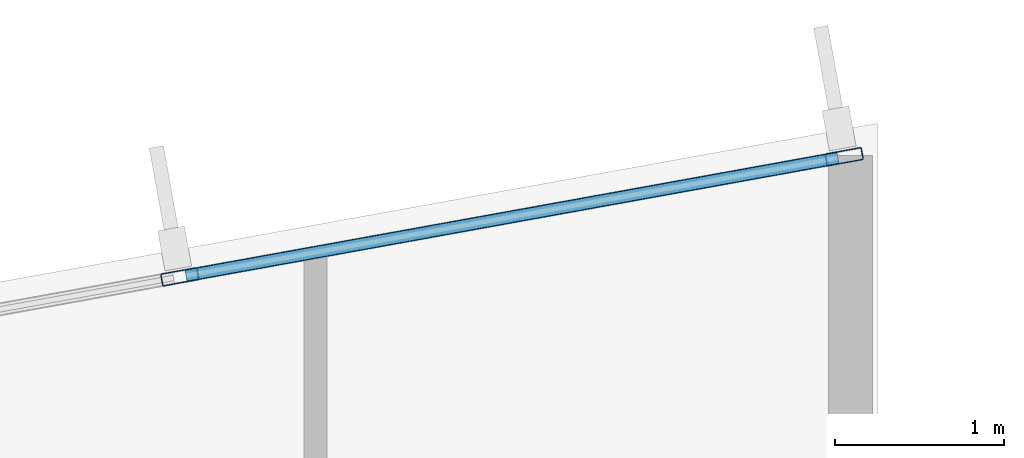
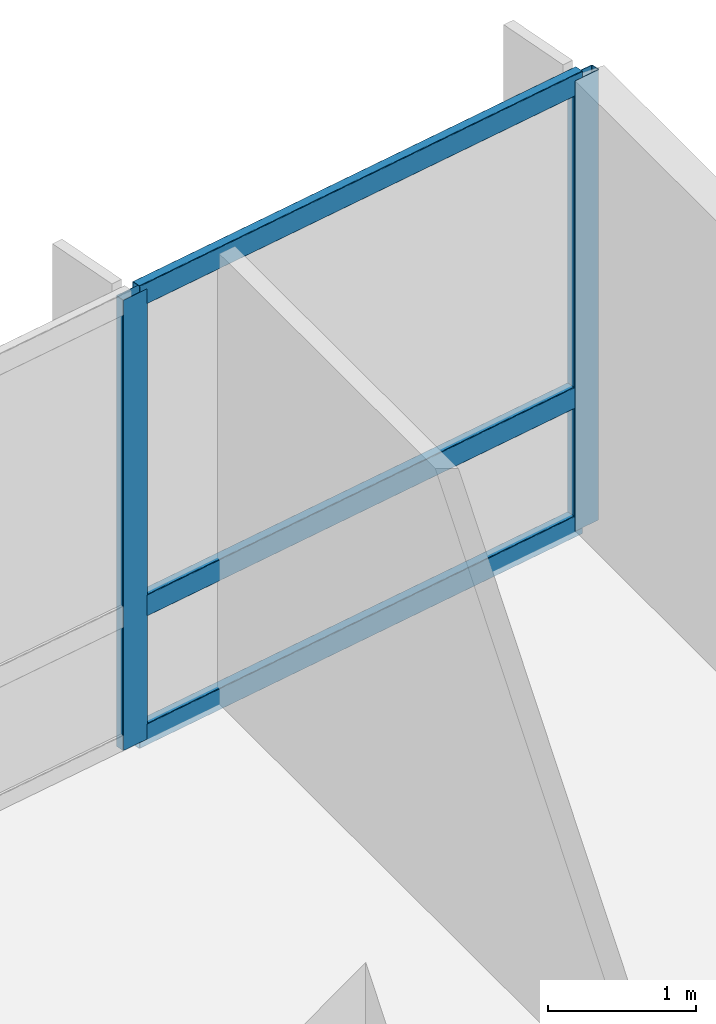
# One storey, part 10 of 22: 5 members, 1 element without a shape of its own.
"""IFC4 building model written with IfcOpenShell, lengths in metres."""

from ifc_helpers import new_model, si_unit, direction, frame, origin, origin_2d, place, context, subcontext, project, spatial, hollow_rectangle, extrude, material, layer, layer_set, material_profile, profile_set, type_object, element, aggregate, save


model = new_model("IFC4")

# Units and contexts
model_context = context("Model", 3, precision=1e-05, world=origin(), true_north=direction((0.0, 1.0)))
body_context = subcontext(model_context, "Body", "Model", "MODEL_VIEW")
ifc_project = project(units=[si_unit("LENGTHUNIT", "METRE"), si_unit("AREAUNIT", "SQUARE_METRE"), si_unit("VOLUMEUNIT", "CUBIC_METRE"), si_unit("PLANEANGLEUNIT", "RADIAN"), si_unit("MASSUNIT", "GRAM", prefix="KILO")], contexts=[model_context])

# Site, building, storey
site_placement = place(None, origin())
site = spatial("IfcSite", under=ifc_project, at=site_placement, CompositionType="ELEMENT")
building_placement = place(site_placement, origin())
building = spatial("IfcBuilding", under=site, at=building_placement, Name="Varnakote Quay Hospital", CompositionType="ELEMENT")
storey_placement = place(building_placement, frame((0.0, 0.0, 65.949951171875)))
storey = spatial("IfcBuildingStorey", under=building, at=storey_placement, Name="L16", CompositionType="ELEMENT", Elevation=65.949951171875)

# Curtain wall, members
ifc_material_1 = material(Name="Anodised aluminium 6063-T6 Bronze", Category="aluminium")
ifc_layer = layer(ifc_material_1, 0.18994140625)
ifc_layer_set = layer_set([ifc_layer], Name="Anodised aluminium 6063-T6 Bronze")
curtain_wall_type = type_object("IfcCurtainWallType", Name="CW-SYS-2", PredefinedType="NOTDEFINED", material=ifc_layer_set)
curtain_wall_placement = place(storey_placement, origin())
curtain_wall = element("IfcCurtainWall", 1, at=curtain_wall_placement, inside=storey, type_object=curtain_wall_type, Name="L16 Unitised Bronze Curtain Wall 2", PredefinedType="NOTDEFINED")
ifc_material_2 = material(Name="Anodised aluminium 6063-T6 Bronze", Category="aluminium")
ifc_material_profile_1 = material_profile(ifc_material_2, hollow_rectangle(XDim=0.074951171875, YDim=0.219970703125, WallThickness=0.00439453125, InnerFilletRadius=0.00439453125, OuterFilletRadius=0.009033203125, at=origin_2d()), Name="CW-MULL-220x75")
ifc_profile_set_1 = profile_set([ifc_material_profile_1], Name="Anodised aluminium 6063-T6 Bronze")
member_type_1 = type_object("IfcMemberType", Name="CW-MULL-220x75", PredefinedType="MULLION", material=ifc_profile_set_1)
member_1_placement = place(storey_placement, frame((55.403076171875, 34.201904296875, 0.0), z_axis=(0.0, 0.0, 1.0), x_axis=(0.177846199098, -0.984058295766, 0.0)))
member_1 = element("IfcMember", 2, at=member_1_placement, type_object=member_type_1, Name="-2-L16-2 mullion 1", PredefinedType="MULLION", context=body_context, shape_type="SweptSolid", body=[
    extrude(hollow_rectangle(XDim=0.074951171875, YDim=0.219970703125, WallThickness=0.00439453125, InnerFilletRadius=0.00439453125, OuterFilletRadius=0.009033203125, at=origin_2d()), origin(), (0.0, 0.0, 1.0), 3.7099609375),
])
member_2_placement = place(storey_placement, frame((51.477294921875, 33.492431640625, 0.0), z_axis=(0.0, 0.0, 1.0), x_axis=(0.177846199098, -0.984058295766, 0.0)))
member_2 = element("IfcMember", 3, at=member_2_placement, type_object=member_type_1, Name="-2-L16-2 mullion 2", PredefinedType="MULLION", context=body_context, shape_type="SweptSolid", body=[
    extrude(hollow_rectangle(XDim=0.074951171875, YDim=0.219970703125, WallThickness=0.00439453125, InnerFilletRadius=0.00439453125, OuterFilletRadius=0.009033203125, at=origin_2d()), origin(), (0.0, 0.0, 1.0), 3.7099609375),
])
ifc_material_3 = material(Name="Anodised aluminium 6063-T6 Bronze", Category="aluminium")
ifc_material_profile_2 = material_profile(ifc_material_3, hollow_rectangle(XDim=0.074951171875, YDim=0.179931640625, WallThickness=0.004150390625, InnerFilletRadius=0.004150390625, OuterFilletRadius=0.00830078125, at=origin_2d()), Name="CW-TRAN-180x75")
ifc_profile_set_2 = profile_set([ifc_material_profile_2], Name="Anodised aluminium 6063-T6 Bronze")
member_type_2 = type_object("IfcMemberType", Name="CW-TRAN-180x75", PredefinedType="USERDEFINED", material=ifc_profile_set_2)
member_3_placement = place(storey_placement, frame((55.3662109375, 34.195068359375, 0.03759765625), z_axis=(-0.984061948229, -0.177825988109, 0.0), x_axis=(0.177825988109, -0.984061948229, 0.0)))
member_3 = element("IfcMember", 4, at=member_3_placement, type_object=member_type_2, Name="-2-L16-2 transom 1.1", ObjectType="TRANSOM", PredefinedType="USERDEFINED", context=body_context, shape_type="SweptSolid", body=[
    extrude(hollow_rectangle(XDim=0.074951171875, YDim=0.179931640625, WallThickness=0.004150390625, InnerFilletRadius=0.004150390625, OuterFilletRadius=0.00830078125, at=origin_2d()), origin(), (0.0, 0.0, 1.0), 3.914306640625),
])
member_4_placement = place(storey_placement, frame((55.3662109375, 34.195068359375, 1.10009765625), z_axis=(-0.984061948229, -0.177825988109, 0.0), x_axis=(0.177825988109, -0.984061948229, 0.0)))
member_4 = element("IfcMember", 5, at=member_4_placement, type_object=member_type_2, Name="-2-L16-2 transom 1.2", ObjectType="TRANSOM", PredefinedType="USERDEFINED", context=body_context, shape_type="SweptSolid", body=[
    extrude(hollow_rectangle(XDim=0.074951171875, YDim=0.179931640625, WallThickness=0.004150390625, InnerFilletRadius=0.004150390625, OuterFilletRadius=0.00830078125, at=origin_2d()), origin(), (0.0, 0.0, 1.0), 3.914306640625),
])
member_5_placement = place(storey_placement, frame((55.3662109375, 34.195068359375, 3.672607421875), z_axis=(-0.984061948229, -0.177825988109, 0.0), x_axis=(0.177825988109, -0.984061948229, 0.0)))
member_5 = element("IfcMember", 6, at=member_5_placement, type_object=member_type_2, Name="-2-L16-2 transom 1.3", ObjectType="TRANSOM", PredefinedType="USERDEFINED", context=body_context, shape_type="SweptSolid", body=[
    extrude(hollow_rectangle(XDim=0.074951171875, YDim=0.179931640625, WallThickness=0.004150390625, InnerFilletRadius=0.004150390625, OuterFilletRadius=0.00830078125, at=origin_2d()), origin(), (0.0, 0.0, 1.0), 3.914306640625),
])
aggregate(curtain_wall, [member_1, member_2, member_3, member_4, member_5])

save(model, "model.ifc")
